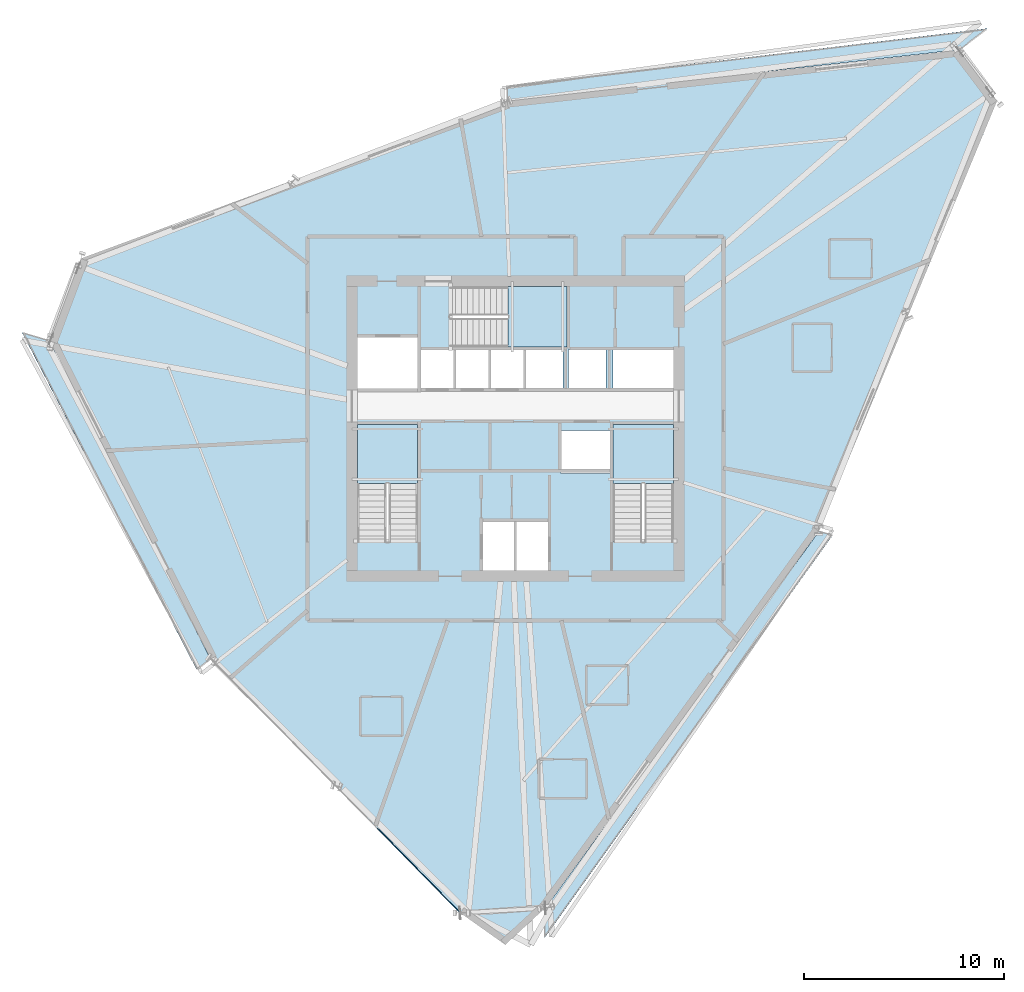
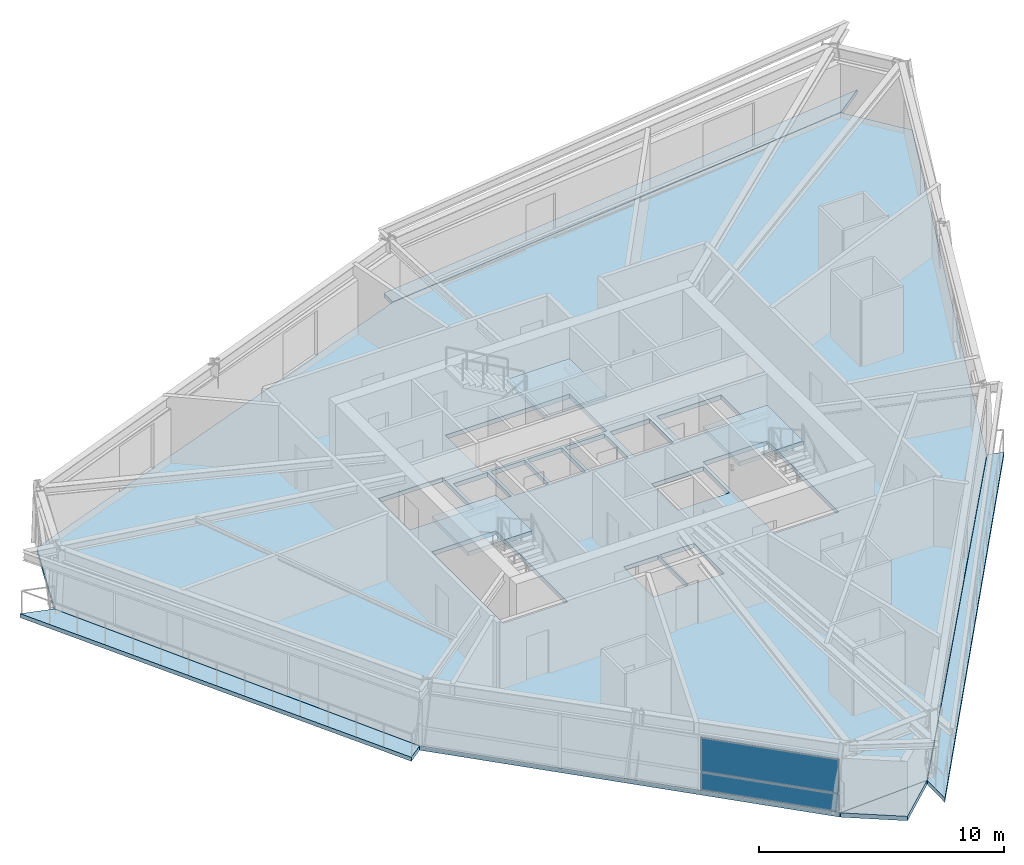
# One storey, part 5 of 14: 8 slabs, 2 plates, 4 elements without a shape of their own.
"""IFC4 building model written with IfcOpenShell, lengths in metres."""

from ifc_helpers import new_model, si_unit, direction, frame, origin, origin_2d, place, context, subcontext, project, spatial, polyline, rectangle, outline, extrude, source, transform, mapped, material, layer, layer_set, type_object, element, aggregate, save


model = new_model("IFC4")

# Units and contexts
model_context = context("Model", 3, precision=1e-05, world=origin(), true_north=direction((0.0, 1.0)))
body_context = subcontext(model_context, "Body", "Model", "MODEL_VIEW")
ifc_project = project(units=[si_unit("LENGTHUNIT", "METRE"), si_unit("AREAUNIT", "SQUARE_METRE"), si_unit("VOLUMEUNIT", "CUBIC_METRE"), si_unit("PLANEANGLEUNIT", "RADIAN"), si_unit("MASSUNIT", "GRAM", prefix="KILO")], contexts=[model_context])

# Site, building, storey
site_placement = place(None, origin())
site = spatial("IfcSite", under=ifc_project, at=site_placement, CompositionType="ELEMENT")
building_placement = place(site_placement, origin())
building = spatial("IfcBuilding", under=site, at=building_placement, Name="Olszyna Solenne Hotel", CompositionType="ELEMENT")
storey_placement = place(building_placement, frame((0.0, 0.0, 185.64990234375)))
storey = spatial("IfcBuildingStorey", under=building, at=storey_placement, Name="L49", CompositionType="ELEMENT", Elevation=185.64990234375)

# Stair, slab
ifc_material_1 = material(Name="Concrete C40/50", Category="concrete")
stair_type = type_object("IfcStairType", Name="STR-C1", PredefinedType="TWO_QUARTER_WINDING_STAIR", material=ifc_material_1)
stair_1_placement = place(storey_placement, origin())
stair_1 = element("IfcStair", 1, at=stair_1_placement, inside=storey, type_object=stair_type, Name="L49 ST1", PredefinedType="TWO_QUARTER_WINDING_STAIR")
ifc_layer_1 = layer(ifc_material_1, 0.18994140625, Name="Concrete C40/50")
ifc_layer_set_1 = layer_set([ifc_layer_1], Name="Concrete C40/50")
slab_type_1 = type_object("IfcSlabType", Name="SL-LN190", PredefinedType="LANDING", material=ifc_layer_set_1)
slab_1_placement = place(storey_placement, frame((0.0, 0.0, 1.5751953125)))
slab_1 = element("IfcSlab", 2, at=slab_1_placement, type_object=slab_type_1, Name="ST1 landing 1", PredefinedType="LANDING", context=body_context, shape_type="SweptSolid", body=[
    extrude(outline(polyline([(33.1201171875, 23.85009765625), (33.1201171875, 26.800048828125), (30.10009765625, 26.800048828125), (30.10009765625, 23.85009765625), (33.1201171875, 23.85009765625)])), origin(), (0.0, 0.0, 1.0), 0.199951171875),
])
aggregate(stair_1, [slab_1])

stair_2_placement = place(storey_placement, origin())
stair_2 = element("IfcStair", 3, at=stair_2_placement, inside=storey, type_object=stair_type, Name="L49 ST2", PredefinedType="TWO_QUARTER_WINDING_STAIR")
slab_2_placement = place(storey_placement, frame((0.0, 0.0, 1.5751953125)))
slab_2 = element("IfcSlab", 4, at=slab_2_placement, type_object=slab_type_1, Name="ST2 landing 1", PredefinedType="LANDING", context=body_context, shape_type="SweptSolid", body=[
    extrude(outline(polyline([(45.89990234375, 23.85009765625), (45.89990234375, 26.800048828125), (42.8798828125, 26.800048828125), (42.8798828125, 23.85009765625), (45.89990234375, 23.85009765625)])), origin(), (0.0, 0.0, 1.0), 0.199951171875),
])
aggregate(stair_2, [slab_2])

stair_3_placement = place(storey_placement, origin())
stair_3 = element("IfcStair", 5, at=stair_3_placement, inside=storey, type_object=stair_type, Name="L49 ST3", PredefinedType="TWO_QUARTER_WINDING_STAIR")
slab_3_placement = place(storey_placement, frame((0.0, 0.0, 1.5751953125)))
slab_3 = element("IfcSlab", 6, at=slab_3_placement, type_object=slab_type_1, Name="ST3 landing 1", PredefinedType="LANDING", context=body_context, shape_type="SweptSolid", body=[
    extrude(outline(polyline([(37.6298828125, 30.679931640625), (40.580078125, 30.679931640625), (40.580078125, 33.699951171875), (37.6298828125, 33.699951171875), (37.6298828125, 30.679931640625)])), origin(), (0.0, 0.0, 1.0), 0.199951171875),
])
aggregate(stair_3, [slab_3])

# Slabs
ifc_material_2 = material(Name="Precast concrete C45/55", Category="concrete")
ifc_layer_2 = layer(ifc_material_2, 0.199951171875, Name="Precast concrete C45/55")
ifc_layer_set_2 = layer_set([ifc_layer_2], Name="Precast concrete C45/55")
slab_type_2 = type_object("IfcSlabType", Name="SL-LOG200", PredefinedType="FLOOR", material=ifc_layer_set_2)
slab_4_placement = place(storey_placement, frame((0.0, 0.0, -0.199951171875)))
element("IfcSlab", 7, at=slab_4_placement, inside=storey, type_object=slab_type_2, Name="Exterior loggia balcony slab SL-L49-LG1", PredefinedType="FLOOR", context=body_context, shape_type="SweptSolid", body=[
    extrude(outline(polyline([(37.59423828125, 42.982177734375), (60.16357421875, 45.531494140625), (60.164794921875, 45.531494140625), (60.166259765625, 45.531494140625), (60.167724609375, 45.531494140625), (60.169189453125, 45.531005859375), (60.17041015625, 45.530517578125), (60.171875, 45.530029296875), (60.173095703125, 45.529296875), (60.17431640625, 45.528564453125), (60.17529296875, 45.527587890625), (60.17626953125, 45.526611328125), (60.177001953125, 45.525634765625), (61.58154296875, 46.59619140625), (37.606201171875, 43.713623046875), (37.59423828125, 42.982177734375)])), origin(), (0.0, 0.0, 1.0), 0.199951171875),
])
slab_5_placement = place(storey_placement, frame((0.0, 0.0, -0.199951171875)))
element("IfcSlab", 8, at=slab_5_placement, inside=storey, type_object=slab_type_2, Name="Exterior loggia balcony slab SL-L49-LG2", PredefinedType="FLOOR", context=body_context, shape_type="SweptSolid", body=[
    extrude(outline(polyline([(22.76318359375, 15.083740234375), (22.762451171875, 15.084716796875), (22.76171875, 15.0859375), (14.73046875, 30.970703125), (14.729736328125, 30.97216796875), (14.729248046875, 30.9736328125), (14.72900390625, 30.97509765625), (14.728759765625, 30.976806640625), (14.728759765625, 30.978271484375), (14.72900390625, 30.97998046875), (14.729248046875, 30.9814453125), (14.7294921875, 30.98193359375), (13.35205078125, 31.390625), (22.06689453125, 14.552978515625), (22.76318359375, 15.083740234375)])), origin(), (0.0, 0.0, 1.0), 0.199951171875),
])
slab_6_placement = place(storey_placement, frame((0.0, 0.0, -0.199951171875)))
element("IfcSlab", 9, at=slab_6_placement, inside=storey, type_object=slab_type_2, Name="Exterior loggia balcony slab SL-L49-LG3", PredefinedType="FLOOR", context=body_context, shape_type="SweptSolid", body=[
    extrude(outline(polyline([(53.177978515625, 21.466552734375), (53.177490234375, 21.465087890625), (53.1767578125, 21.46337890625), (53.17578125, 21.4619140625), (39.4921875, 2.621337890625), (39.491455078125, 2.6201171875), (39.490478515625, 2.619140625), (39.47998046875, 2.609375), (39.455810546875, 1.13720703125), (53.859619140625, 21.26416015625), (53.177978515625, 21.466552734375)])), origin(), (0.0, 0.0, 1.0), 0.199951171875),
])
ifc_material_3 = material(Name="Concrete C50/60", Category="concrete")
ifc_layer_3 = layer(ifc_material_3, 0.219970703125, Name="Concrete C50/60")
ifc_layer_set_3 = layer_set([ifc_layer_3], Name="Concrete C50/60")
slab_type_3 = type_object("IfcSlabType", Name="SL-TW225", PredefinedType="FLOOR", material=ifc_layer_set_3)
slab_7_placement = place(storey_placement, frame((0.0, 0.0, -0.219970703125)))
element("IfcSlab", 10, at=slab_7_placement, inside=storey, type_object=slab_type_3, Name="Floor slab SL-TW225 SL-L49-01", PredefinedType="FLOOR", context=body_context, shape_type="SweptSolid", body=[
    extrude(outline(polyline([(62.078857421875, 42.98193359375), (60.165283203125, 45.5166015625), (37.593994140625, 42.967041015625), (16.28515625, 35.1005859375), (14.743896484375, 30.9775390625), (22.77490234375, 15.0927734375), (35.246826171875, 2.393310546875), (39.480224609375, 2.630126953125), (53.16357421875, 21.470703125), (62.078857421875, 42.98193359375)]), holes=[polyline([(30.10009765625, 20.949951171875), (33.1201171875, 20.949951171875), (33.1201171875, 26.800048828125), (30.10009765625, 26.800048828125), (30.10009765625, 20.949951171875)]), polyline([(42.8798828125, 20.949951171875), (45.89990234375, 20.949951171875), (45.89990234375, 26.800048828125), (42.8798828125, 26.800048828125), (42.8798828125, 20.949951171875)]), polyline([(34.72998046875, 30.679931640625), (40.580078125, 30.679931640625), (40.580078125, 33.699951171875), (34.72998046875, 33.699951171875), (34.72998046875, 30.679931640625)]), polyline([(36.340087890625, 19.5), (37.9599609375, 19.5), (37.9599609375, 21.9599609375), (36.340087890625, 21.9599609375), (36.340087890625, 19.5)]), polyline([(38.0400390625, 19.5), (39.659912109375, 19.5), (39.659912109375, 21.9599609375), (38.0400390625, 21.9599609375), (38.0400390625, 19.5)]), polyline([(30.10009765625, 28.60009765625), (33.1201171875, 28.60009765625), (33.1201171875, 31.159912109375), (30.10009765625, 31.159912109375), (30.10009765625, 28.60009765625)]), polyline([(40.280029296875, 24.360107421875), (42.719970703125, 24.360107421875), (42.719970703125, 26.5), (40.280029296875, 26.5), (40.280029296875, 24.360107421875)]), polyline([(33.280029296875, 28.60009765625), (34.89990234375, 28.60009765625), (34.89990234375, 30.550048828125), (33.280029296875, 30.550048828125), (33.280029296875, 28.60009765625)]), polyline([(35.030029296875, 28.60009765625), (36.64990234375, 28.60009765625), (36.64990234375, 30.550048828125), (35.030029296875, 30.550048828125), (35.030029296875, 28.60009765625)]), polyline([(36.780029296875, 28.60009765625), (38.39990234375, 28.60009765625), (38.39990234375, 30.550048828125), (36.780029296875, 30.550048828125), (36.780029296875, 28.60009765625)]), polyline([(38.530029296875, 28.60009765625), (40.389892578125, 28.60009765625), (40.389892578125, 30.550048828125), (38.530029296875, 30.550048828125), (38.530029296875, 28.60009765625)]), polyline([(40.659912109375, 28.60009765625), (42.52001953125, 28.60009765625), (42.52001953125, 30.550048828125), (40.659912109375, 30.550048828125), (40.659912109375, 28.60009765625)]), polyline([(42.8798828125, 28.60009765625), (45.89990234375, 28.60009765625), (45.89990234375, 30.550048828125), (42.8798828125, 30.550048828125), (42.8798828125, 28.60009765625)])]), origin(), (0.0, 0.0, 1.0), 0.219970703125),
])
slab_8_placement = place(storey_placement, frame((0.0, 0.0, -0.219970703125)))
element("IfcSlab", 11, at=slab_8_placement, inside=storey, type_object=slab_type_3, Name="Faceted glass-prism floor slab SL-L49-PR", PredefinedType="FLOOR", context=body_context, shape_type="SweptSolid", body=[
    extrude(outline(polyline([(39.468505859375, 2.619384765625), (35.260009765625, 2.384033203125), (37.494873046875, 0.800048828125), (39.468505859375, 2.619384765625)])), origin(), (0.0, 0.0, 1.0), 0.219970703125),
])

# Curtain wall, plates
ifc_material_4 = material(Name="Anodised bronze aluminium", Category="aluminium")
curtain_wall_type = type_object("IfcCurtainWallType", Name="CW-SYS-4", PredefinedType="NOTDEFINED", material=ifc_material_4)
curtain_wall_placement = place(storey_placement, origin())
curtain_wall = element("IfcCurtainWall", 12, at=curtain_wall_placement, inside=storey, type_object=curtain_wall_type, Name="Unitised curtain wall CW-SYS-4 CW-L49-01", PredefinedType="NOTDEFINED")
ifc_material_5 = material(Name="Terracotta cladding", Category="masonry")
plate_type_1 = type_object("IfcPlateType", Name="PN-SP1", PredefinedType="CURTAIN_PANEL", material=ifc_material_5)
shared_shape_1 = source(origin(), body_context, "Body", "SweptSolid", [
    extrude(rectangle(XDim=5.835693359375, YDim=0.035888671875, at=origin_2d()), origin(), (0.0, 0.0, 1.0), 0.8525390625),
])
plate_1_placement = place(storey_placement, frame((33.156982421875, 4.521484375, 0.065185546875), z_axis=(0.0, 0.0, 1.0), x_axis=(0.700687281961, -0.71346852271, 0.0)))
plate_1 = element("IfcPlate", 13, at=plate_1_placement, type_object=plate_type_1, Name="Curtain-wall panel PN-SP1 CP-L49-01-05", PredefinedType="CURTAIN_PANEL", context=body_context, shape_type="MappedRepresentation", body=[
    mapped(shared_shape_1, transform((0.0, 0.0, 0.0), x_axis=(1.0, 0.0, 0.0), y_axis=(0.0, 1.0, 0.0), z_axis=(0.0, 0.0, 1.0), scale=1.0)),
])
ifc_material_6 = material(Name="Low-E triple glazing", Category="glass")
plate_type_2 = type_object("IfcPlateType", Name="PN-GL1", PredefinedType="CURTAIN_PANEL", material=ifc_material_6)
shared_shape_2 = source(origin(), body_context, "Body", "SweptSolid", [
    extrude(rectangle(XDim=5.835693359375, YDim=0.035888671875, at=origin_2d()), origin(), (0.0, 0.0, 1.0), 1.674560546875),
])
plate_2_placement = place(storey_placement, frame((33.156982421875, 4.521484375, 0.982421875), z_axis=(0.0, 0.0, 1.0), x_axis=(0.700687281961, -0.71346852271, 0.0)))
plate_2 = element("IfcPlate", 14, at=plate_2_placement, type_object=plate_type_2, Name="Curtain-wall panel PN-GL1 CP-L49-01-06", PredefinedType="CURTAIN_PANEL", context=body_context, shape_type="MappedRepresentation", body=[
    mapped(shared_shape_2, transform((0.0, 0.0, 0.0), x_axis=(1.0, 0.0, 0.0), y_axis=(0.0, 1.0, 0.0), z_axis=(0.0, 0.0, 1.0), scale=1.0)),
])
aggregate(curtain_wall, [plate_1, plate_2])

save(model, "model.ifc")
